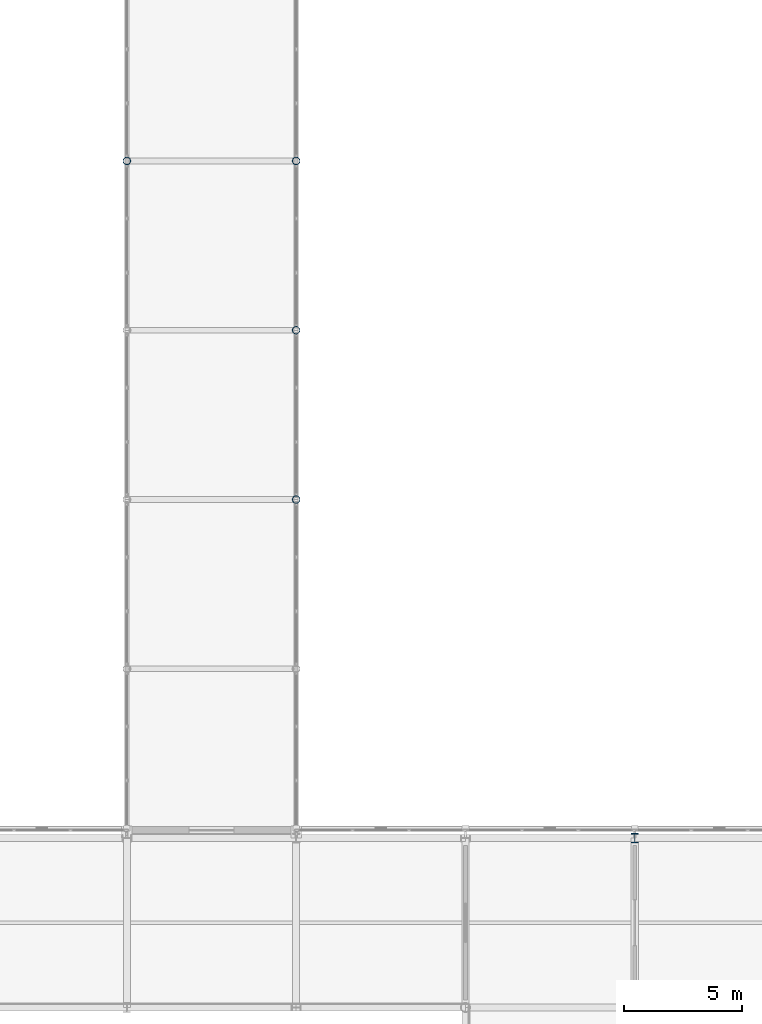
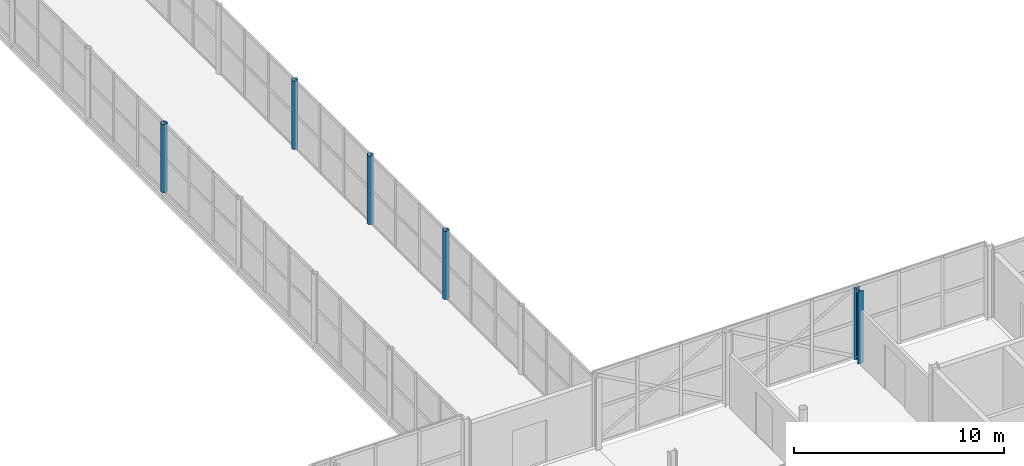
# One storey, part 10 of 146: 5 columns.
"""IFC4 building model written with IfcOpenShell, lengths in metres."""

import ifcopenshell
import ifcopenshell.guid

model = None  # the IFC model being written
_history = None  # IfcOwnerHistory: only IFC2X3 demands one
_inside = {}  # id of a spatial element -> (the spatial element, [elements in it])
_under = {}  # id of a project, library or spatial element -> (it, [spatial elements below it])
_declared = {}  # id of a project -> (the project, [libraries it declares])
_typed = {}  # id of a type object -> (the type object, [elements of that type])
_made_of = {}  # id of a material, layer set ... -> (it, [elements and type objects made of it])


def new_model(schema):
    """Start an empty IFC model of exactly this schema.

    Asked for "IFC4X3", IfcOpenShell would pick the latest addendum, in which some entities
    have other attributes; the version numbers below select the first issue.
    IFC2X3 requires an IfcOwnerHistory on every rooted entity: one is made here for all.
    """
    global model, _history
    if schema == "IFC4X3":
        model = ifcopenshell.file(schema_version=(4, 3, 0, 0))
    else:
        model = ifcopenshell.file(schema=schema)
    _inside.clear()
    _under.clear()
    _declared.clear()
    _typed.clear()
    _made_of.clear()
    _history = None
    if model.schema == "IFC2X3":
        org = make("IfcOrganization", Name="unknown")
        user = make(
            "IfcPersonAndOrganization",
            ThePerson=make("IfcPerson", FamilyName="unknown"),
            TheOrganization=org,
        )
        app = make(
            "IfcApplication",
            ApplicationDeveloper=org,
            Version="unknown",
            ApplicationFullName="unknown",
            ApplicationIdentifier="unknown",
        )
        _history = make(
            "IfcOwnerHistory",
            OwningUser=user,
            OwningApplication=app,
            ChangeAction="ADDED",
            CreationDate=0,
        )
    return model


def make(cls, **values):
    """One entity of the class cls with the attributes given. An attribute that is None is left unset."""
    return model.create_entity(
        cls, **{name: value for name, value in values.items() if value is not None}
    )


def rooted(cls, **values):
    """An entity with a GlobalId (a new one), such as an element, a storey or a relation."""
    return make(cls, GlobalId=ifcopenshell.guid.new(), OwnerHistory=_history, **values)


def si_unit(unit_type, name, prefix=None):
    """IfcSIUnit, for example si_unit("LENGTHUNIT", "METRE", prefix="MILLI")."""
    return make("IfcSIUnit", UnitType=unit_type, Prefix=prefix, Name=name)


def assignment(units):
    """IfcUnitAssignment: the units of a project."""
    return None if units is None else make("IfcUnitAssignment", Units=units)


def point(xyz):
    """IfcCartesianPoint."""
    return None if xyz is None else make("IfcCartesianPoint", Coordinates=xyz)


def direction(xyz):
    """IfcDirection."""
    return None if xyz is None else make("IfcDirection", DirectionRatios=xyz)


def frame(location, z_axis=None, x_axis=None):
    """IfcAxis2Placement3D, a coordinate frame: its origin and axes. An axis left out is left unset."""
    return make(
        "IfcAxis2Placement3D",
        Location=point(location),
        Axis=direction(z_axis),
        RefDirection=direction(x_axis),
    )


def frame_2d(location, x_axis=None):
    """IfcAxis2Placement2D, a coordinate frame in the plane: its origin and x axis."""
    return make(
        "IfcAxis2Placement2D", Location=point(location), RefDirection=direction(x_axis)
    )


def origin():
    """The frame at (0, 0, 0) with its axes left unset."""
    return frame((0.0, 0.0, 0.0))


def origin_2d():
    """The frame at (0, 0) in the plane with its x axis left unset."""
    return frame_2d((0.0, 0.0))


def place(relative_to, where):
    """IfcLocalPlacement: puts the frame where relative to a parent placement (None: the world)."""
    return make(
        "IfcLocalPlacement", PlacementRelTo=relative_to, RelativePlacement=where
    )


def context(
    kind, dimensions, precision=None, world=None, true_north=None, identifier=None
):
    """IfcGeometricRepresentationContext, for example the 3D "Model" context."""
    return make(
        "IfcGeometricRepresentationContext",
        ContextIdentifier=identifier,
        ContextType=kind,
        CoordinateSpaceDimension=dimensions,
        Precision=precision,
        WorldCoordinateSystem=world,
        TrueNorth=true_north,
    )


def subcontext(parent, identifier, kind, view, scale=None):
    """IfcGeometricRepresentationSubContext, for example "Body" below "Model"."""
    return make(
        "IfcGeometricRepresentationSubContext",
        ContextIdentifier=identifier,
        ContextType=kind,
        ParentContext=parent,
        TargetScale=scale,
        TargetView=view,
    )


def project(units=None, contexts=None):
    """IfcProject with its units and contexts."""
    return rooted(
        "IfcProject",
        Name="project",
        RepresentationContexts=contexts,
        UnitsInContext=assignment(units),
    )


def spatial(cls, under=None, at=None, **own):
    """A site, building, storey or space (cls), placed at a placement, below another one or the project."""
    s = rooted(cls, ObjectPlacement=at, **own)
    if under is not None:
        _under.setdefault(under.id(), (under, []))[1].append(s)
    return s


def profile(cls, at=None, kind="AREA", **sizes):
    """A parametric profile (cls). Its sizes go by their IFC names, for example OverallWidth=200.0."""
    return make(cls, ProfileType=kind, Position=at, **sizes)


def hollow_circle(**sizes):
    """IfcCircleHollowProfileDef."""
    return profile("IfcCircleHollowProfileDef", **sizes)


def i_section(**sizes):
    """IfcIShapeProfileDef."""
    return profile("IfcIShapeProfileDef", **sizes)


def extrude(swept, where, along, depth):
    """IfcExtrudedAreaSolid: the profile swept, set in the frame where, extruded along a direction by depth."""
    return make(
        "IfcExtrudedAreaSolid",
        SweptArea=swept,
        Position=where,
        ExtrudedDirection=direction(along),
        Depth=depth,
    )


def shape(context_of_items, identifier, shape_type, items):
    """IfcShapeRepresentation: the items that make up one representation, for example the "Body"."""
    return make(
        "IfcShapeRepresentation",
        ContextOfItems=context_of_items,
        RepresentationIdentifier=identifier,
        RepresentationType=shape_type,
        Items=items,
    )


def material(Name=None, Category=None):
    """IfcMaterial."""
    return make("IfcMaterial", Name=Name, Category=Category)


def material_profile(
    of_material, cross_section, Name=None, Category=None, Priority=None
):
    """IfcMaterialProfile: a cross section and its material."""
    return make(
        "IfcMaterialProfile",
        Name=Name,
        Material=of_material,
        Profile=cross_section,
        Priority=Priority,
        Category=Category,
    )


def profile_set(profiles, Name=None, composite=None):
    """IfcMaterialProfileSet."""
    return make(
        "IfcMaterialProfileSet",
        Name=Name,
        MaterialProfiles=profiles,
        CompositeProfile=composite,
    )


def made_of(thing, what):
    """Note that an element or type object is made of a material, layer set ...; save() writes the relation."""
    if what is not None:
        _made_of.setdefault(what.id(), (what, []))[1].append(thing)
    return thing


def type_object(cls, material=None, **own):
    """A type object (cls), such as IfcWallType, which elements share."""
    return made_of(rooted(cls, **own), material)


def element(
    cls,
    number,
    at=None,
    inside=None,
    cuts=None,
    type_object=None,
    material=None,
    context=None,
    identifier="Body",
    shape_type=None,
    held_by="IfcProductDefinitionShape",
    body=None,
    shapes=None,
    **own,
):
    """One element of the class cls, such as IfcWall. Its Tag is "e" and its number.

    at: its placement. inside: the storey or other place that contains it. cuts: it is an
    opening in that element (IfcRelVoidsElement). A single representation is given by context,
    identifier, shape_type and body (its items); several are given by shapes. held_by: the class
    of the entity that holds the representations. save() writes the other relations.
    """
    e = rooted(cls, Tag="e%d" % number, ObjectPlacement=at, **own)
    if body is not None:
        shapes = [shape(context, identifier, shape_type, body)]
    if shapes is not None:
        e.Representation = make(held_by, Representations=shapes)
    if inside is not None:
        _inside.setdefault(inside.id(), (inside, []))[1].append(e)
    if cuts is not None:
        rooted(
            "IfcRelVoidsElement", RelatingBuildingElement=cuts, RelatedOpeningElement=e
        )
    if type_object is not None:
        _typed.setdefault(type_object.id(), (type_object, []))[1].append(e)
    return made_of(e, material)


def aggregate(whole, parts):
    """IfcRelAggregates: a whole, such as a stair, and the parts it consists of."""
    return rooted("IfcRelAggregates", RelatingObject=whole, RelatedObjects=parts)


def save(model, path):
    """Write the relations noted so far, then the file.

    IfcRelAggregates (storeys below a building ...), IfcRelContainedInSpatialStructure (elements
    in a storey), IfcRelDefinesByType, IfcRelAssociatesMaterial and IfcRelDeclares: one each for
    every whole, place, type object, material and project.
    """
    for whole, parts in _under.values():
        aggregate(whole, parts)
    for where, things in _inside.values():
        rooted(
            "IfcRelContainedInSpatialStructure",
            RelatedElements=things,
            RelatingStructure=where,
        )
    for kind, things in _typed.values():
        rooted("IfcRelDefinesByType", RelatedObjects=things, RelatingType=kind)
    for what, things in _made_of.values():
        rooted("IfcRelAssociatesMaterial", RelatedObjects=things, RelatingMaterial=what)
    for by, libraries in _declared.values():
        rooted("IfcRelDeclares", RelatingContext=by, RelatedDefinitions=libraries)
    model.write(path)


model = new_model("IFC4")

# Units and contexts
model_context = context("Model", 3, precision=1e-05, world=origin(), true_north=direction((0.0, 1.0)))
body_context = subcontext(model_context, "Body", "Model", "MODEL_VIEW")
ifc_project = project(units=[si_unit("LENGTHUNIT", "METRE"), si_unit("AREAUNIT", "SQUARE_METRE"), si_unit("VOLUMEUNIT", "CUBIC_METRE"), si_unit("PLANEANGLEUNIT", "RADIAN"), si_unit("MASSUNIT", "GRAM", prefix="KILO")], contexts=[model_context])

# Site, building, storey
site_placement = place(None, origin())
site = spatial("IfcSite", under=ifc_project, at=site_placement, CompositionType="ELEMENT")
building_placement = place(site_placement, origin())
building = spatial("IfcBuilding", under=site, at=building_placement, Name="Zlatovets Crest Museum", CompositionType="ELEMENT")
storey_placement = place(building_placement, frame((0.0, 0.0, 4.5)))
storey = spatial("IfcBuildingStorey", under=building, at=storey_placement, Name="L01", CompositionType="ELEMENT", Elevation=4.5)

# Columns
ifc_material = material(Name="Structural steel S355J2", Category="steel")
ifc_material_profile_1 = material_profile(ifc_material, i_section(OverallWidth=0.300048828125, OverallDepth=0.39990234375, WebThickness=0.013427734375, FlangeThickness=0.02392578125, FilletRadius=0.027099609375, at=origin_2d()), Name="HEB 400")
ifc_profile_set_1 = profile_set([ifc_material_profile_1], Name="Structural steel S355J2")
column_type_1 = type_object("IfcColumnType", Name="Col_C-07", PredefinedType="COLUMN", material=ifc_profile_set_1)
column_placement = place(storey_placement, frame((100.800048828125, 28.800048828125, 0.0), z_axis=(0.0, 0.0, 1.0), x_axis=(1.0, 0.0, 0.0)))
element("IfcColumn", 1, at=column_placement, inside=storey, type_object=column_type_1, Name="V2 L01 Column (100.8, 28.8)", PredefinedType="COLUMN", context=body_context, shape_type="SweptSolid", body=[
    extrude(i_section(OverallWidth=0.300048828125, OverallDepth=0.39990234375, WebThickness=0.013427734375, FlangeThickness=0.02392578125, FilletRadius=0.027099609375, at=origin_2d()), origin(), (0.0, 0.0, 1.0), 4.199951171875),
])
ifc_material_profile_2 = material_profile(ifc_material, hollow_circle(Radius=0.161865234375, WallThickness=0.012451171875, at=origin_2d()), Name="CHS 323.9x12.5")
ifc_profile_set_2 = profile_set([ifc_material_profile_2], Name="Structural steel S355J2")
column_type_2 = type_object("IfcColumnType", Name="Col_C-13", PredefinedType="COLUMN", material=ifc_profile_set_2)
for number, where, z_axis, x_axis, name in (
    (2, (86.39990234375, 43.199951171875, 0.0), (0.0, 0.0, 1.0), (1.0, 0.0, 0.0), "Central Sculpture Court Cloister and Skywalk Portal Column"),
    (3, (86.39990234375, 50.39990234375, 0.0), (0.0, 0.0, 1.0), (1.0, 0.0, 0.0), "Central Sculpture Court Cloister and Skywalk Portal Column"),
    (4, (79.199951171875, 57.60009765625, 0.0), (0.0, 0.0, 1.0), (1.0, 0.0, 0.0), "Central Sculpture Court Cloister and Skywalk Portal Column"),
    (5, (86.39990234375, 57.60009765625, 0.0), (0.0, 0.0, 1.0), (1.0, 0.0, 0.0), "Central Sculpture Court Cloister and Skywalk Portal Column"),
):
    element("IfcColumn", number, at=place(storey_placement, frame(where, z_axis=z_axis, x_axis=x_axis)), inside=storey, type_object=column_type_2, Name=name, PredefinedType="COLUMN", context=body_context, shape_type="SweptSolid", body=[
        extrude(hollow_circle(Radius=0.161865234375, WallThickness=0.012451171875, at=origin_2d()), origin(), (0.0, 0.0, 1.0), 3.97998046875),
    ])

save(model, "model.ifc")
